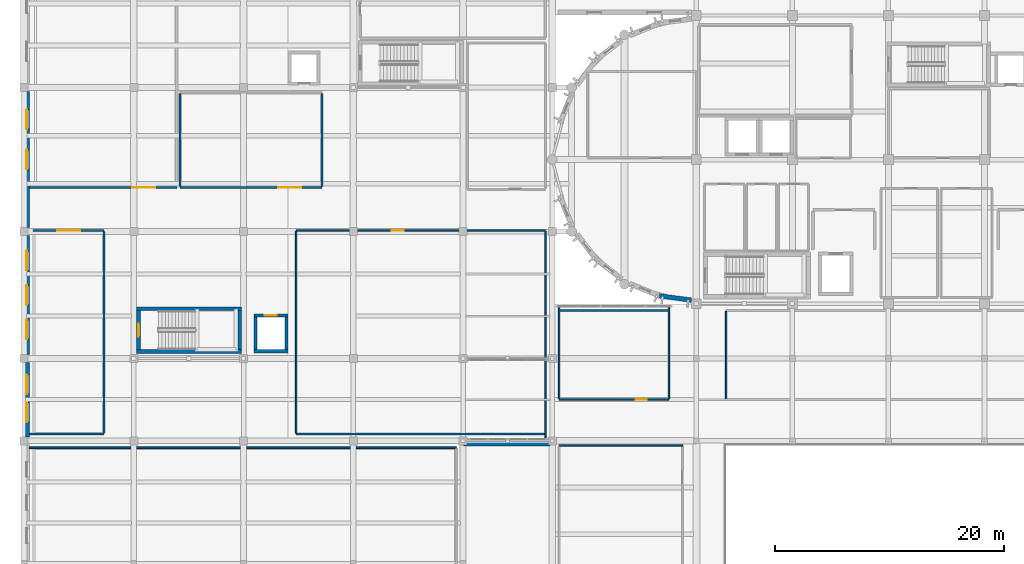
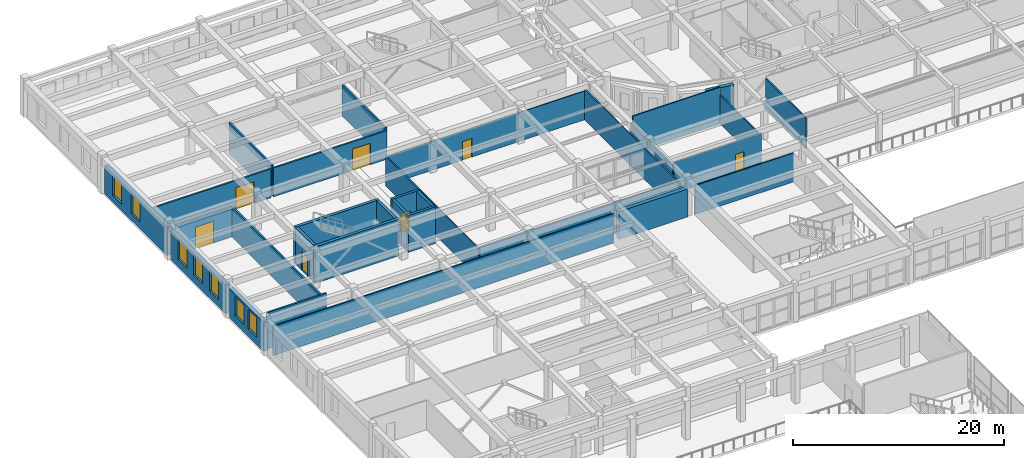
# One storey, part 66 of 92: 31 walls, 7 doors, 7 windows, 14 openings.
"""IFC4 building model written with IfcOpenShell, lengths in metres."""

from ifc_helpers import new_model, si_unit, direction, frame, frame_2d, origin, place, context, subcontext, project, spatial, rectangle, extrude, material, layer, layer_set, type_object, element, fill, save


model = new_model("IFC4")

# Units and contexts
model_context = context("Model", 3, precision=1e-05, world=origin(), true_north=direction((0.0, 1.0)))
body_context = subcontext(model_context, "Body", "Model", "MODEL_VIEW")
ifc_project = project(units=[si_unit("LENGTHUNIT", "METRE"), si_unit("AREAUNIT", "SQUARE_METRE"), si_unit("VOLUMEUNIT", "CUBIC_METRE"), si_unit("PLANEANGLEUNIT", "RADIAN"), si_unit("MASSUNIT", "GRAM", prefix="KILO")], contexts=[model_context])

# Site, building, storey
site_placement = place(None, origin())
site = spatial("IfcSite", under=ifc_project, at=site_placement, CompositionType="ELEMENT")
building_placement = place(site_placement, origin())
building = spatial("IfcBuilding", under=site, at=building_placement, Name="Tarnavel Promenade Courthouse", CompositionType="ELEMENT")
storey_placement = place(building_placement, frame((0.0, 0.0, 5.39990234375)))
storey = spatial("IfcBuildingStorey", under=building, at=storey_placement, Name="L02", CompositionType="ELEMENT", Elevation=5.39990234375)

# Wall
ifc_material_1 = material(Name="Acoustic Insulated Gypsum Stud Partition", Category="gypsum")
ifc_layer_1 = layer(ifc_material_1, 0.14990234375)
ifc_layer_set_1 = layer_set([ifc_layer_1], Name="Acoustic Insulated Gypsum Stud Partition")
wall_type_1 = type_object("IfcWallType", Name="Acoustic Insulated Gypsum Stud Partition WL-LIB-150 (150 mm)", PredefinedType="PARTITIONING", material=ifc_layer_set_1)
wall_1_placement = place(storey_placement, frame((0.4541015625, 66.60009765625, 0.0), z_axis=(0.0, 0.0, 1.0), x_axis=(1.0, 0.0, 0.0)))
element("IfcWall", 1, at=wall_1_placement, inside=storey, type_object=wall_type_1, Name="L02 Law Library Reading Room Main Salon Partition 0298", PredefinedType="PARTITIONING", context=body_context, shape_type="SweptSolid", body=[
    extrude(rectangle(XDim=37.345947265625, YDim=0.14990234375, at=frame_2d((18.6728515625, 0.0))), origin(), (0.0, 0.0, 1.0), 3.380126953125),
])

# Wall, opening, door
ifc_material_2 = material(Name="Concrete C40/50", Category="concrete")
ifc_layer_2 = layer(ifc_material_2, 0.280029296875)
ifc_layer_set_2 = layer_set([ifc_layer_2], Name="Concrete C40/50")
wall_type_2 = type_object("IfcWallType", Name="Concrete C40/50 WL-SHR-280 (280 mm)", PredefinedType="SHEAR", material=ifc_layer_set_2)
wall_2_placement = place(storey_placement, frame((20.10009765625, 78.159912109375, 0.0), z_axis=(0.0, 0.0, 1.0), x_axis=(1.0, 0.0, 0.0)))
wall_2 = element("IfcWall", 2, at=wall_2_placement, inside=storey, type_object=wall_type_2, Name="L02 L-PUB3 Lift Shaft North Wall", PredefinedType="SHEAR", context=body_context, shape_type="SweptSolid", body=[
    extrude(rectangle(XDim=3.0, YDim=0.280029296875, at=frame_2d((1.5, 0.0))), origin(), (0.0, 0.0, 1.0), 4.239990234375),
])
opening_1_placement = place(wall_2_placement, frame((0.97509765625, 0.0, 0.0)))
opening_1 = element("IfcOpeningElement", 3, at=opening_1_placement, cuts=wall_2, Name="Opening LD-02", PredefinedType="OPENING", context=body_context, shape_type="SweptSolid", body=[
    extrude(rectangle(XDim=1.050048828125, YDim=2.199951171875, at=frame_2d((0.52490234375, 1.10009765625))), frame((0.0, 0.14990234375, 0.0), z_axis=(0.0, -1.0, 0.0), x_axis=(1.0, 0.0, 0.0)), (0.0, 0.0, 1.0), 0.300048828125),
])
ifc_material_3 = material(Name="Brushed Bronze Passenger Lift Landing Sliding Door")
door_type_1 = type_object("IfcDoorType", Name="Brushed Bronze Passenger Lift Landing Sliding Door (LD-PUB-1050x2200)", OperationType="NOTDEFINED", PredefinedType="DOOR", material=ifc_material_3)
door_1_placement = place(opening_1_placement, origin())
door_1 = element("IfcDoor", 4, at=door_1_placement, inside=storey, type_object=door_type_1, Name="L02 L-PUB3 Lift Sliding Landing Door", OperationType="DOUBLE_DOOR_SLIDING", OverallHeight=2.199951171875, OverallWidth=1.050048828125, PredefinedType="DOOR", context=body_context, shape_type="SweptSolid", body=[
    extrude(rectangle(XDim=1.050048828125, YDim=2.199951171875, at=frame_2d((0.52490234375, 1.10009765625))), frame((0.0, 0.02490234375, 0.0), z_axis=(0.0, -1.0, 0.0), x_axis=(1.0, 0.0, 0.0)), (0.0, 0.0, 1.0), 0.050048828125),
])
fill(opening_1, door_1)

# Walls
wall_3_placement = place(storey_placement, frame((23.10009765625, 75.0400390625, 0.0), z_axis=(0.0, 0.0, 1.0), x_axis=(-1.0, 0.0, 0.0)))
element("IfcWall", 5, at=wall_3_placement, inside=storey, type_object=wall_type_2, Name="L02 L-PUB3 Lift Shaft South Wall", PredefinedType="SHEAR", context=body_context, shape_type="SweptSolid", body=[
    extrude(rectangle(XDim=3.0, YDim=0.280029296875, at=frame_2d((1.5, 0.0))), origin(), (0.0, 0.0, 1.0), 4.239990234375),
])
for number, where, z_axis, x_axis, name in (
    (6, (20.239990234375, 75.179931640625, 0.0), (0.0, 0.0, 1.0), (0.0, 1.0, 0.0), "L02 L-PUB3 Lift Shaft West Wall"),
    (7, (22.9599609375, 78.02001953125, 0.0), (0.0, 0.0, 1.0), (0.0, -1.0, 0.0), "L02 L-PUB3 Lift Shaft East Wall"),
):
    element("IfcWall", number, at=place(storey_placement, frame(where, z_axis=z_axis, x_axis=x_axis)), inside=storey, type_object=wall_type_2, Name=name, PredefinedType="SHEAR", context=body_context, shape_type="SweptSolid", body=[
        extrude(rectangle(XDim=2.840087890625, YDim=0.280029296875, at=frame_2d((1.419921875, 0.0))), origin(), (0.0, 0.0, 1.0), 4.239990234375),
    ])
ifc_layer_3 = layer(ifc_material_2, 0.320068359375)
ifc_layer_set_3 = layer_set([ifc_layer_3], Name="Concrete C40/50")
wall_type_3 = type_object("IfcWallType", Name="Concrete C40/50 WL-SHR-320 (320 mm)", PredefinedType="SHEAR", material=ifc_layer_set_3)
for number, where, z_axis, x_axis, name in (
    (8, (9.860107421875, 78.739990234375, 0.0), (0.0, 0.0, 1.0), (1.0, 0.0, 0.0), "L02 ST-04 Shear Core North Wall"),
    (9, (19.0400390625, 75.02001953125, 0.0), (0.0, 0.0, 1.0), (-1.0, 0.0, 0.0), "L02 ST-04 Shear Core South Wall"),
):
    element("IfcWall", number, at=place(storey_placement, frame(where, z_axis=z_axis, x_axis=x_axis)), inside=storey, type_object=wall_type_3, Name=name, PredefinedType="SHEAR", context=body_context, shape_type="SweptSolid", body=[
        extrude(rectangle(XDim=9.179931640625, YDim=0.320068359375, at=frame_2d((4.58984375, 0.0))), origin(), (0.0, 0.0, 1.0), 4.239990234375),
    ])

# Wall, opening, door
wall_4_placement = place(storey_placement, frame((10.02001953125, 75.179931640625, 0.0), z_axis=(0.0, 0.0, 1.0), x_axis=(0.0, 1.0, 0.0)))
wall_4 = element("IfcWall", 10, at=wall_4_placement, inside=storey, type_object=wall_type_3, Name="L02 ST-04 Shear Core West Landing Wall", PredefinedType="SHEAR", context=body_context, shape_type="SweptSolid", body=[
    extrude(rectangle(XDim=3.400146484375, YDim=0.320068359375, at=frame_2d((1.7001953125, 0.0))), origin(), (0.0, 0.0, 1.0), 4.239990234375),
])
opening_2_placement = place(wall_4_placement, frame((1.125, 0.0, 0.0)))
opening_2 = element("IfcOpeningElement", 11, at=opening_2_placement, cuts=wall_4, Name="Opening FD-01", PredefinedType="OPENING", context=body_context, shape_type="SweptSolid", body=[
    extrude(rectangle(XDim=1.14990234375, YDim=2.199951171875, at=frame_2d((0.574951171875, 1.10009765625))), frame((0.0, 0.169921875, 0.0), z_axis=(0.0, -1.0, 0.0), x_axis=(1.0, 0.0, 0.0)), (0.0, 0.0, 1.0), 0.340087890625),
])
ifc_material_4 = material(Name="Steel Fire-Rated Stair Core Door", Category="steel")
door_type_2 = type_object("IfcDoorType", Name="Steel Fire-Rated Stair Core Door (DR-ST-1150x2200)", OperationType="NOTDEFINED", PredefinedType="DOOR", material=ifc_material_4)
door_2_placement = place(opening_2_placement, origin())
door_2 = element("IfcDoor", 12, at=door_2_placement, inside=storey, type_object=door_type_2, Name="L02 ST-04 Protected Exit Stair Door", OperationType="SINGLE_SWING_RIGHT", OverallHeight=2.199951171875, OverallWidth=1.14990234375, PredefinedType="DOOR", context=body_context, shape_type="SweptSolid", body=[
    extrude(rectangle(XDim=1.14990234375, YDim=2.199951171875, at=frame_2d((0.574951171875, 1.10009765625))), frame((0.0, 0.02490234375, 0.0), z_axis=(0.0, -1.0, 0.0), x_axis=(1.0, 0.0, 0.0)), (0.0, 0.0, 1.0), 0.050048828125),
])
fill(opening_2, door_2)

# Wall
wall_5_placement = place(storey_placement, frame((18.8798828125, 78.580078125, 0.0), z_axis=(0.0, 0.0, 1.0), x_axis=(0.0, -1.0, 0.0)))
element("IfcWall", 13, at=wall_5_placement, inside=storey, type_object=wall_type_3, Name="L02 ST-04 Shear Core East Wall", PredefinedType="SHEAR", context=body_context, shape_type="SweptSolid", body=[
    extrude(rectangle(XDim=3.400146484375, YDim=0.320068359375, at=frame_2d((1.7001953125, 0.0))), origin(), (0.0, 0.0, 1.0), 4.239990234375),
])

# Wall, opening, door
ifc_material_5 = material(Name="Double-Stud Acoustic Courtroom Partition Assembly", Category="gypsum")
ifc_layer_4 = layer(ifc_material_5, 0.18505859375)
ifc_layer_set_4 = layer_set([ifc_layer_4], Name="Double-Stud Acoustic Courtroom Partition Assembly")
wall_type_4 = type_object("IfcWallType", Name="Double-Stud Acoustic Courtroom Partition Assembly WL-CRT-185 (185 mm)", PredefinedType="PARTITIONING", material=ifc_layer_set_4)
wall_6_placement = place(storey_placement, frame((13.360107421875, 89.340087890625, 0.0), z_axis=(0.0, 0.0, 1.0), x_axis=(-1.0, 0.0, 0.0)))
wall_6 = element("IfcWall", 14, at=wall_6_placement, inside=storey, type_object=wall_type_4, Name="L02 Civil Trial Courtroom A Partition 0278", PredefinedType="PARTITIONING", context=body_context, shape_type="SweptSolid", body=[
    extrude(rectangle(XDim=12.885986328125, YDim=0.18505859375, at=frame_2d((6.44287109375, 0.0))), origin(), (0.0, 0.0, 1.0), 3.330078125),
])
opening_3_placement = place(wall_6_placement, frame((1.8779296875, 0.0, 0.0)))
opening_3 = element("IfcOpeningElement", 15, at=opening_3_placement, cuts=wall_6, Name="Opening ID-01", PredefinedType="OPENING", context=body_context, shape_type="SweptSolid", body=[
    extrude(rectangle(XDim=2.0, YDim=2.5, at=frame_2d((1.0, 1.25))), frame((0.0, 0.1025390625, 0.0), z_axis=(0.0, -1.0, 0.0), x_axis=(1.0, 0.0, 0.0)), (0.0, 0.0, 1.0), 0.205078125),
])
ifc_material_6 = material(Name="Solid Oak Acoustic Courtroom Double Door")
door_type_3 = type_object("IfcDoorType", Name="Solid Oak Acoustic Courtroom Double Door (DR-CRT-2000x2500)", OperationType="NOTDEFINED", PredefinedType="DOOR", material=ifc_material_6)
door_3_placement = place(opening_3_placement, origin())
door_3 = element("IfcDoor", 16, at=door_3_placement, inside=storey, type_object=door_type_3, Name="L02 Civil Trial Courtroom A Door 0079", OperationType="DOUBLE_DOOR_SINGLE_SWING", OverallHeight=2.5, OverallWidth=2.0, PredefinedType="DOOR", context=body_context, shape_type="SweptSolid", body=[
    extrude(rectangle(XDim=2.0, YDim=2.5, at=frame_2d((1.0, 1.25))), frame((0.0, 0.02490234375, 0.0), z_axis=(0.0, -1.0, 0.0), x_axis=(1.0, 0.0, 0.0)), (0.0, 0.0, 1.0), 0.050048828125),
])
fill(opening_3, door_3)

wall_7_placement = place(storey_placement, frame((26.06005859375, 89.340087890625, 0.0), z_axis=(0.0, 0.0, 1.0), x_axis=(-1.0, 0.0, 0.0)))
wall_7 = element("IfcWall", 17, at=wall_7_placement, inside=storey, type_object=wall_type_4, Name="L02 Civil Trial Courtroom B Partition 0281", PredefinedType="PARTITIONING", context=body_context, shape_type="SweptSolid", body=[
    extrude(rectangle(XDim=12.420166015625, YDim=0.18505859375, at=frame_2d((6.2099609375, 0.0))), origin(), (0.0, 0.0, 1.0), 3.330078125),
])
opening_4_placement = place(wall_7_placement, frame((1.80810546875, 0.0, 0.0)))
opening_4 = element("IfcOpeningElement", 18, at=opening_4_placement, cuts=wall_7, Name="Opening ID-01", PredefinedType="OPENING", context=body_context, shape_type="SweptSolid", body=[
    extrude(rectangle(XDim=2.0, YDim=2.5, at=frame_2d((1.0, 1.25))), frame((0.0, 0.1025390625, 0.0), z_axis=(0.0, -1.0, 0.0), x_axis=(1.0, 0.0, 0.0)), (0.0, 0.0, 1.0), 0.205078125),
])
door_4_placement = place(opening_4_placement, origin())
door_4 = element("IfcDoor", 19, at=door_4_placement, inside=storey, type_object=door_type_3, Name="L02 Civil Trial Courtroom B Door 0080", OperationType="DOUBLE_DOOR_SINGLE_SWING", OverallHeight=2.5, OverallWidth=2.0, PredefinedType="DOOR", context=body_context, shape_type="SweptSolid", body=[
    extrude(rectangle(XDim=2.0, YDim=2.5, at=frame_2d((1.0, 1.25))), frame((0.0, 0.02490234375, 0.0), z_axis=(0.0, -1.0, 0.0), x_axis=(1.0, 0.0, 0.0)), (0.0, 0.0, 1.0), 0.050048828125),
])
fill(opening_4, door_4)

# Walls
for number, where, z_axis, x_axis, name in (
    (20, (13.639892578125, 89.4423828125, 0.0), (0.0, 0.0, 1.0), (0.0, 1.0, 0.0), "L02 Civil Trial Courtroom B Partition 0282"),
    (21, (26.06005859375, 97.597412109375, 0.0), (0.0, 0.0, 1.0), (0.0, -1.0, 0.0), "L02 Civil Trial Courtroom B Partition 0283"),
):
    element("IfcWall", number, at=place(storey_placement, frame(where, z_axis=z_axis, x_axis=x_axis)), inside=storey, type_object=wall_type_4, Name=name, PredefinedType="PARTITIONING", context=body_context, shape_type="SweptSolid", body=[
        extrude(rectangle(XDim=8.155029296875, YDim=0.18505859375, at=frame_2d((4.07763671875, 0.0))), origin(), (0.0, 0.0, 1.0), 3.580078125),
    ])

# Wall, opening, door
wall_8_placement = place(storey_placement, frame((0.800048828125, 85.60009765625, 0.0), z_axis=(0.0, 0.0, 1.0), x_axis=(1.0, 0.0, 0.0)))
wall_8 = element("IfcWall", 22, at=wall_8_placement, inside=storey, type_object=wall_type_4, Name="L02 Civil Trial Courtroom C Partition 0291", PredefinedType="PARTITIONING", context=body_context, shape_type="SweptSolid", body=[
    extrude(rectangle(XDim=6.199951171875, YDim=0.18505859375, at=frame_2d((3.10009765625, 0.0))), origin(), (0.0, 0.0, 1.0), 3.43017578125),
])
opening_5_placement = place(wall_8_placement, frame((2.10009765625, 0.0, 0.0)))
opening_5 = element("IfcOpeningElement", 23, at=opening_5_placement, cuts=wall_8, Name="Opening ID-01", PredefinedType="OPENING", context=body_context, shape_type="SweptSolid", body=[
    extrude(rectangle(XDim=2.0, YDim=2.5, at=frame_2d((1.0, 1.25))), frame((0.0, 0.1025390625, 0.0), z_axis=(0.0, -1.0, 0.0), x_axis=(1.0, 0.0, 0.0)), (0.0, 0.0, 1.0), 0.205078125),
])
door_5_placement = place(opening_5_placement, origin())
door_5 = element("IfcDoor", 24, at=door_5_placement, inside=storey, type_object=door_type_3, Name="L02 Civil Trial Courtroom C Door 0083", OperationType="DOUBLE_DOOR_SINGLE_SWING", OverallHeight=2.5, OverallWidth=2.0, PredefinedType="DOOR", context=body_context, shape_type="SweptSolid", body=[
    extrude(rectangle(XDim=2.0, YDim=2.5, at=frame_2d((1.0, 1.25))), frame((0.0, 0.02490234375, 0.0), z_axis=(0.0, -1.0, 0.0), x_axis=(1.0, 0.0, 0.0)), (0.0, 0.0, 1.0), 0.050048828125),
])
fill(opening_5, door_5)

# Walls
wall_9_placement = place(storey_placement, frame((7.0, 67.800048828125, 0.0), z_axis=(0.0, 0.0, 1.0), x_axis=(-1.0, 0.0, 0.0)))
element("IfcWall", 25, at=wall_9_placement, inside=storey, type_object=wall_type_4, Name="L02 Civil Trial Courtroom C Partition 0292", PredefinedType="PARTITIONING", context=body_context, shape_type="SweptSolid", body=[
    extrude(rectangle(XDim=6.52587890625, YDim=0.18505859375, at=frame_2d((3.262939453125, 0.0))), origin(), (0.0, 0.0, 1.0), 4.22509765625),
])
wall_10_placement = place(storey_placement, frame((7.0, 85.49755859375, 0.0), z_axis=(0.0, 0.0, 1.0), x_axis=(0.0, -1.0, 0.0)))
element("IfcWall", 26, at=wall_10_placement, inside=storey, type_object=wall_type_4, Name="L02 Civil Trial Courtroom C Partition 0293", PredefinedType="PARTITIONING", context=body_context, shape_type="SweptSolid", body=[
    extrude(rectangle(XDim=17.594970703125, YDim=0.18505859375, at=frame_2d((8.79736328125, 0.0))), origin(), (0.0, 0.0, 1.0), 3.43017578125),
])
ifc_material_7 = material(Name="Limestone Ashlar Faced Insulated Brick Masonry", Category="masonry")
ifc_layer_5 = layer(ifc_material_7, 0.43994140625)
ifc_layer_set_5 = layer_set([ifc_layer_5], Name="Limestone Ashlar Faced Insulated Brick Masonry")
wall_type_5 = type_object("IfcWallType", Name="Limestone Ashlar Faced Insulated Brick Masonry WL-EXT-440 (440 mm)", PredefinedType="STANDARD", material=ifc_layer_set_5)
wall_11_placement = place(storey_placement, frame((38.449951171875, 66.9599609375, 0.0), z_axis=(0.0, 0.0, 1.0), x_axis=(1.0, 0.0, 0.0)))
element("IfcWall", 27, at=wall_11_placement, inside=storey, type_object=wall_type_5, Name="L02 Winter-Garden West Link North Wall 0438", PredefinedType="STANDARD", context=body_context, shape_type="SweptSolid", body=[
    extrude(rectangle(XDim=7.550048828125, YDim=0.43994140625, at=frame_2d((3.77490234375, 0.0))), origin(), (0.0, 0.0, 1.0), 3.22998046875),
])

# Wall, openings, windows
ifc_layer_6 = layer(ifc_material_7, 0.47998046875)
ifc_layer_set_6 = layer_set([ifc_layer_6], Name="Limestone Ashlar Faced Insulated Brick Masonry")
wall_type_6 = type_object("IfcWallType", Name="Limestone Ashlar Faced Insulated Brick Masonry WL-EXT-480 (480 mm)", PredefinedType="STANDARD", material=ifc_layer_set_6)
wall_12_placement = place(storey_placement, frame((0.239990234375, 67.5419921875, 0.0), z_axis=(0.0, 0.0, 1.0), x_axis=(0.0, 1.0, 0.0)))
wall_12 = element("IfcWall", 28, at=wall_12_placement, inside=storey, type_object=wall_type_6, Name="L02 Trial Wing West Ashlar Facade 0286", PredefinedType="STANDARD", context=body_context, shape_type="SweptSolid", body=[
    extrude(rectangle(XDim=6.52099609375, YDim=0.47998046875, at=frame_2d((3.260498046875, 0.0))), origin(), (0.0, 0.0, 1.0), 3.380126953125),
])
opening_6_placement = place(wall_12_placement, frame((1.302978515625, 0.0, 0.85009765625)))
opening_6 = element("IfcOpeningElement", 29, at=opening_6_placement, cuts=wall_12, Name="Opening W-01", PredefinedType="OPENING", context=body_context, shape_type="SweptSolid", body=[
    extrude(rectangle(XDim=1.699951171875, YDim=2.300048828125, at=frame_2d((0.85009765625, 1.14990234375))), frame((0.0, 0.25, 0.0), z_axis=(0.0, -1.0, 0.0), x_axis=(1.0, 0.0, 0.0)), (0.0, 0.0, 1.0), 0.5),
])
opening_7_placement = place(wall_12_placement, frame((3.7529296875, 0.0, 0.85009765625)))
opening_7 = element("IfcOpeningElement", 30, at=opening_7_placement, cuts=wall_12, Name="Opening W-01", PredefinedType="OPENING", context=body_context, shape_type="SweptSolid", body=[
    extrude(rectangle(XDim=1.699951171875, YDim=2.300048828125, at=frame_2d((0.85009765625, 1.14990234375))), frame((0.0, 0.25, 0.0), z_axis=(0.0, -1.0, 0.0), x_axis=(1.0, 0.0, 0.0)), (0.0, 0.0, 1.0), 0.5),
])
ifc_material_8 = material(Name="Triple Low-E Glazed Bronze-Clad Window Assembly")
window_type = type_object("IfcWindowType", Name="Triple-Glazed Bronze-Clad Timber-Aluminium WIN-CRT-1700x2300", PartitioningType="SINGLE_PANEL", PredefinedType="WINDOW", material=ifc_material_8)
window_1_placement = place(opening_6_placement, origin())
window_1 = element("IfcWindow", 31, at=window_1_placement, inside=storey, type_object=window_type, Name="L02 Exterior Window 0264", OverallHeight=2.300048828125, OverallWidth=1.699951171875, PartitioningType="SINGLE_PANEL", PredefinedType="WINDOW", context=body_context, shape_type="SweptSolid", body=[
    extrude(rectangle(XDim=1.699951171875, YDim=2.300048828125, at=frame_2d((0.85009765625, 1.14990234375))), frame((0.0, 0.030029296875, 0.0), z_axis=(0.0, -1.0, 0.0), x_axis=(1.0, 0.0, 0.0)), (0.0, 0.0, 1.0), 0.06005859375),
])
fill(opening_6, window_1)
window_2_placement = place(opening_7_placement, origin())
window_2 = element("IfcWindow", 32, at=window_2_placement, inside=storey, type_object=window_type, Name="L02 Exterior Window 0265", OverallHeight=2.300048828125, OverallWidth=1.699951171875, PartitioningType="SINGLE_PANEL", PredefinedType="WINDOW", context=body_context, shape_type="SweptSolid", body=[
    extrude(rectangle(XDim=1.699951171875, YDim=2.300048828125, at=frame_2d((0.85009765625, 1.14990234375))), frame((0.0, 0.030029296875, 0.0), z_axis=(0.0, -1.0, 0.0), x_axis=(1.0, 0.0, 0.0)), (0.0, 0.0, 1.0), 0.06005859375),
])
fill(opening_7, window_2)

wall_13_placement = place(storey_placement, frame((0.239990234375, 74.741943359375, 0.0), z_axis=(0.0, 0.0, 1.0), x_axis=(0.0, 1.0, 0.0)))
wall_13 = element("IfcWall", 33, at=wall_13_placement, inside=storey, type_object=wall_type_6, Name="L02 Trial Wing West Ashlar Facade 0287", PredefinedType="STANDARD", context=body_context, shape_type="SweptSolid", body=[
    extrude(rectangle(XDim=10.421142578125, YDim=0.47998046875, at=frame_2d((5.21044921875, 0.0))), origin(), (0.0, 0.0, 1.0), 3.330078125),
])
opening_8_placement = place(wall_13_placement, frame((1.3447265625, 0.0, 0.85009765625)))
opening_8 = element("IfcOpeningElement", 34, at=opening_8_placement, cuts=wall_13, Name="Opening W-01", PredefinedType="OPENING", context=body_context, shape_type="SweptSolid", body=[
    extrude(rectangle(XDim=1.699951171875, YDim=2.300048828125, at=frame_2d((0.85009765625, 1.14990234375))), frame((0.0, 0.25, 0.0), z_axis=(0.0, -1.0, 0.0), x_axis=(1.0, 0.0, 0.0)), (0.0, 0.0, 1.0), 0.5),
])
opening_9_placement = place(wall_13_placement, frame((4.35791015625, 0.0, 0.85009765625)))
opening_9 = element("IfcOpeningElement", 35, at=opening_9_placement, cuts=wall_13, Name="Opening W-01", PredefinedType="OPENING", context=body_context, shape_type="SweptSolid", body=[
    extrude(rectangle(XDim=1.699951171875, YDim=2.300048828125, at=frame_2d((0.85009765625, 1.14990234375))), frame((0.0, 0.25, 0.0), z_axis=(0.0, -1.0, 0.0), x_axis=(1.0, 0.0, 0.0)), (0.0, 0.0, 1.0), 0.5),
])
opening_10_placement = place(wall_13_placement, frame((7.371337890625, 0.0, 0.85009765625)))
opening_10 = element("IfcOpeningElement", 36, at=opening_10_placement, cuts=wall_13, Name="Opening W-01", PredefinedType="OPENING", context=body_context, shape_type="SweptSolid", body=[
    extrude(rectangle(XDim=1.699951171875, YDim=2.300048828125, at=frame_2d((0.85009765625, 1.14990234375))), frame((0.0, 0.25, 0.0), z_axis=(0.0, -1.0, 0.0), x_axis=(1.0, 0.0, 0.0)), (0.0, 0.0, 1.0), 0.5),
])
window_3_placement = place(opening_8_placement, origin())
window_3 = element("IfcWindow", 37, at=window_3_placement, inside=storey, type_object=window_type, Name="L02 Exterior Window 0266", OverallHeight=2.300048828125, OverallWidth=1.699951171875, PartitioningType="SINGLE_PANEL", PredefinedType="WINDOW", context=body_context, shape_type="SweptSolid", body=[
    extrude(rectangle(XDim=1.699951171875, YDim=2.300048828125, at=frame_2d((0.85009765625, 1.14990234375))), frame((0.0, 0.030029296875, 0.0), z_axis=(0.0, -1.0, 0.0), x_axis=(1.0, 0.0, 0.0)), (0.0, 0.0, 1.0), 0.06005859375),
])
fill(opening_8, window_3)
window_4_placement = place(opening_9_placement, origin())
window_4 = element("IfcWindow", 38, at=window_4_placement, inside=storey, type_object=window_type, Name="L02 Exterior Window 0267", OverallHeight=2.300048828125, OverallWidth=1.699951171875, PartitioningType="SINGLE_PANEL", PredefinedType="WINDOW", context=body_context, shape_type="SweptSolid", body=[
    extrude(rectangle(XDim=1.699951171875, YDim=2.300048828125, at=frame_2d((0.85009765625, 1.14990234375))), frame((0.0, 0.030029296875, 0.0), z_axis=(0.0, -1.0, 0.0), x_axis=(1.0, 0.0, 0.0)), (0.0, 0.0, 1.0), 0.06005859375),
])
fill(opening_9, window_4)
window_5_placement = place(opening_10_placement, origin())
window_5 = element("IfcWindow", 39, at=window_5_placement, inside=storey, type_object=window_type, Name="L02 Exterior Window 0268", OverallHeight=2.300048828125, OverallWidth=1.699951171875, PartitioningType="SINGLE_PANEL", PredefinedType="WINDOW", context=body_context, shape_type="SweptSolid", body=[
    extrude(rectangle(XDim=1.699951171875, YDim=2.300048828125, at=frame_2d((0.85009765625, 1.14990234375))), frame((0.0, 0.030029296875, 0.0), z_axis=(0.0, -1.0, 0.0), x_axis=(1.0, 0.0, 0.0)), (0.0, 0.0, 1.0), 0.06005859375),
])
fill(opening_10, window_5)

wall_14_placement = place(storey_placement, frame((0.239990234375, 85.8369140625, 0.0), z_axis=(0.0, 0.0, 1.0), x_axis=(0.0, 1.0, 0.0)))
wall_14 = element("IfcWall", 40, at=wall_14_placement, inside=storey, type_object=wall_type_6, Name="L02 Trial Wing West Ashlar Facade 0288", PredefinedType="STANDARD", context=body_context, shape_type="SweptSolid", body=[
    extrude(rectangle(XDim=11.921142578125, YDim=0.47998046875, at=frame_2d((5.96044921875, 0.0))), origin(), (0.0, 0.0, 1.0), 3.280029296875),
])
opening_11_placement = place(wall_14_placement, frame((5.113037109375, 0.0, 0.760009765625)))
opening_11 = element("IfcOpeningElement", 41, at=opening_11_placement, cuts=wall_14, Name="Opening W-01", PredefinedType="OPENING", context=body_context, shape_type="SweptSolid", body=[
    extrude(rectangle(XDim=1.699951171875, YDim=2.300048828125, at=frame_2d((0.85009765625, 1.14990234375))), frame((0.0, 0.25, 0.0), z_axis=(0.0, -1.0, 0.0), x_axis=(1.0, 0.0, 0.0)), (0.0, 0.0, 1.0), 0.5),
])
opening_12_placement = place(wall_14_placement, frame((8.626220703125, 0.0, 0.760009765625)))
opening_12 = element("IfcOpeningElement", 42, at=opening_12_placement, cuts=wall_14, Name="Opening W-01", PredefinedType="OPENING", context=body_context, shape_type="SweptSolid", body=[
    extrude(rectangle(XDim=1.699951171875, YDim=2.300048828125, at=frame_2d((0.85009765625, 1.14990234375))), frame((0.0, 0.25, 0.0), z_axis=(0.0, -1.0, 0.0), x_axis=(1.0, 0.0, 0.0)), (0.0, 0.0, 1.0), 0.5),
])
window_6_placement = place(opening_11_placement, origin())
window_6 = element("IfcWindow", 43, at=window_6_placement, inside=storey, type_object=window_type, Name="L02 Exterior Window 0269", OverallHeight=2.300048828125, OverallWidth=1.699951171875, PartitioningType="SINGLE_PANEL", PredefinedType="WINDOW", context=body_context, shape_type="SweptSolid", body=[
    extrude(rectangle(XDim=1.699951171875, YDim=2.300048828125, at=frame_2d((0.85009765625, 1.14990234375))), frame((0.0, 0.030029296875, 0.0), z_axis=(0.0, -1.0, 0.0), x_axis=(1.0, 0.0, 0.0)), (0.0, 0.0, 1.0), 0.06005859375),
])
fill(opening_11, window_6)
window_7_placement = place(opening_12_placement, origin())
window_7 = element("IfcWindow", 44, at=window_7_placement, inside=storey, type_object=window_type, Name="L02 Exterior Window 0270", OverallHeight=2.300048828125, OverallWidth=1.699951171875, PartitioningType="SINGLE_PANEL", PredefinedType="WINDOW", context=body_context, shape_type="SweptSolid", body=[
    extrude(rectangle(XDim=1.699951171875, YDim=2.300048828125, at=frame_2d((0.85009765625, 1.14990234375))), frame((0.0, 0.030029296875, 0.0), z_axis=(0.0, -1.0, 0.0), x_axis=(1.0, 0.0, 0.0)), (0.0, 0.0, 1.0), 0.06005859375),
])
fill(opening_12, window_7)

# Wall, opening, door
ifc_material_9 = material(Name="Metal-Stud Acoustic Gypsum Partition", Category="gypsum")
ifc_layer_7 = layer(ifc_material_9, 0.135009765625)
ifc_layer_set_7 = layer_set([ifc_layer_7], Name="Metal-Stud Acoustic Gypsum Partition")
wall_type_7 = type_object("IfcWallType", Name="Metal-Stud Acoustic Gypsum Partition WL-OFF-135 (135 mm)", PredefinedType="PARTITIONING", material=ifc_layer_set_7)
wall_15_placement = place(storey_placement, frame((23.800048828125, 85.60009765625, 0.0), z_axis=(0.0, 0.0, 1.0), x_axis=(1.0, 0.0, 0.0)))
wall_15 = element("IfcWall", 45, at=wall_15_placement, inside=storey, type_object=wall_type_7, Name="L02 Mediation Hearing Suite Partition 0294", PredefinedType="PARTITIONING", context=body_context, shape_type="SweptSolid", body=[
    extrude(rectangle(XDim=21.800048828125, YDim=0.135009765625, at=frame_2d((10.89990234375, 0.0))), origin(), (0.0, 0.0, 1.0), 3.330078125),
])
opening_13_placement = place(wall_15_placement, frame((8.382080078125, 0.0, 0.0)))
opening_13 = element("IfcOpeningElement", 46, at=opening_13_placement, cuts=wall_15, Name="Opening ID-07", PredefinedType="OPENING", context=body_context, shape_type="SweptSolid", body=[
    extrude(rectangle(XDim=1.02001953125, YDim=2.14990234375, at=frame_2d((0.510009765625, 1.074951171875))), frame((0.0, 0.077392578125, 0.0), z_axis=(0.0, -1.0, 0.0), x_axis=(1.0, 0.0, 0.0)), (0.0, 0.0, 1.0), 0.155029296875),
])
ifc_material_10 = material(Name="Acoustic Timber Seminar Room Door", Category="wood")
door_type_4 = type_object("IfcDoorType", Name="Acoustic Timber Seminar Room Door (DR-MTG-1020x2150)", OperationType="NOTDEFINED", PredefinedType="DOOR", material=ifc_material_10)
door_6_placement = place(opening_13_placement, origin())
door_6 = element("IfcDoor", 47, at=door_6_placement, inside=storey, type_object=door_type_4, Name="L02 Mediation Hearing Suite Door 0084", OperationType="SINGLE_SWING_LEFT", OverallHeight=2.14990234375, OverallWidth=1.02001953125, PredefinedType="DOOR", context=body_context, shape_type="SweptSolid", body=[
    extrude(rectangle(XDim=1.02001953125, YDim=2.14990234375, at=frame_2d((0.510009765625, 1.074951171875))), frame((0.0, 0.02490234375, 0.0), z_axis=(0.0, -1.0, 0.0), x_axis=(1.0, 0.0, 0.0)), (0.0, 0.0, 1.0), 0.050048828125),
])
fill(opening_13, door_6)

# Walls
wall_16_placement = place(storey_placement, frame((45.60009765625, 67.800048828125, 0.0), z_axis=(0.0, 0.0, 1.0), x_axis=(-1.0, 0.0, 0.0)))
element("IfcWall", 48, at=wall_16_placement, inside=storey, type_object=wall_type_7, Name="L02 Mediation Hearing Suite Partition 0295", PredefinedType="PARTITIONING", context=body_context, shape_type="SweptSolid", body=[
    extrude(rectangle(XDim=21.800048828125, YDim=0.135009765625, at=frame_2d((10.89990234375, 0.0))), origin(), (0.0, 0.0, 1.0), 3.68017578125),
])
wall_17_placement = place(storey_placement, frame((23.800048828125, 67.87744140625, 0.0), z_axis=(0.0, 0.0, 1.0), x_axis=(0.0, 1.0, 0.0)))
element("IfcWall", 49, at=wall_17_placement, inside=storey, type_object=wall_type_7, Name="L02 Mediation Hearing Suite Partition 0296", PredefinedType="PARTITIONING", context=body_context, shape_type="SweptSolid", body=[
    extrude(rectangle(XDim=17.64501953125, YDim=0.135009765625, at=frame_2d((8.822509765625, 0.0))), origin(), (0.0, 0.0, 1.0), 3.43017578125),
])
wall_18_placement = place(storey_placement, frame((45.60009765625, 85.5224609375, 0.0), z_axis=(0.0, 0.0, 1.0), x_axis=(0.0, -1.0, 0.0)))
element("IfcWall", 50, at=wall_18_placement, inside=storey, type_object=wall_type_7, Name="L02 Mediation Hearing Suite Partition 0297", PredefinedType="PARTITIONING", context=body_context, shape_type="SweptSolid", body=[
    extrude(rectangle(XDim=18.1025390625, YDim=0.135009765625, at=frame_2d((9.05126953125, 0.0))), origin(), (0.0, 0.0, 1.0), 3.570068359375),
])
wall_19_placement = place(storey_placement, frame((46.800048828125, 78.60009765625, 0.0), z_axis=(0.0, 0.0, 1.0), x_axis=(1.0, 0.0, 0.0)))
element("IfcWall", 51, at=wall_19_placement, inside=storey, type_object=wall_type_7, Name="L02 First Balcony Witness Waiting Suite Partition 0330", PredefinedType="PARTITIONING", context=body_context, shape_type="SweptSolid", body=[
    extrude(rectangle(XDim=9.599853515625, YDim=0.135009765625, at=frame_2d((4.7998046875, 0.0))), origin(), (0.0, 0.0, 1.0), 4.22509765625),
])

# Wall, opening, door
wall_20_placement = place(storey_placement, frame((56.39990234375, 70.800048828125, 0.0), z_axis=(0.0, 0.0, 1.0), x_axis=(-1.0, 0.0, 0.0)))
wall_20 = element("IfcWall", 52, at=wall_20_placement, inside=storey, type_object=wall_type_7, Name="L02 First Balcony Witness Waiting Suite Partition 0331", PredefinedType="PARTITIONING", context=body_context, shape_type="SweptSolid", body=[
    extrude(rectangle(XDim=9.599853515625, YDim=0.135009765625, at=frame_2d((4.7998046875, 0.0))), origin(), (0.0, 0.0, 1.0), 3.630126953125),
])
opening_14_placement = place(wall_20_placement, frame((1.93994140625, 0.0, 0.0)))
opening_14 = element("IfcOpeningElement", 53, at=opening_14_placement, cuts=wall_20, Name="Opening ID-06", PredefinedType="OPENING", context=body_context, shape_type="SweptSolid", body=[
    extrude(rectangle(XDim=0.949951171875, YDim=2.14990234375, at=frame_2d((0.47509765625, 1.074951171875))), frame((0.0, 0.077392578125, 0.0), z_axis=(0.0, -1.0, 0.0), x_axis=(1.0, 0.0, 0.0)), (0.0, 0.0, 1.0), 0.155029296875),
])
ifc_material_11 = material(Name="Acoustic Timber Veneer Office Door", Category="wood")
door_type_5 = type_object("IfcDoorType", Name="Acoustic Timber Veneer Office Door (DR-OFF-0950x2150)", OperationType="NOTDEFINED", PredefinedType="DOOR", material=ifc_material_11)
door_7_placement = place(opening_14_placement, origin())
door_7 = element("IfcDoor", 54, at=door_7_placement, inside=storey, type_object=door_type_5, Name="L02 First Balcony Witness Waiting Suite Door 0095", OperationType="SINGLE_SWING_LEFT", OverallHeight=2.14990234375, OverallWidth=0.949951171875, PredefinedType="DOOR", context=body_context, shape_type="SweptSolid", body=[
    extrude(rectangle(XDim=0.949951171875, YDim=2.14990234375, at=frame_2d((0.47509765625, 1.074951171875))), frame((0.0, 0.02490234375, 0.0), z_axis=(0.0, -1.0, 0.0), x_axis=(1.0, 0.0, 0.0)), (0.0, 0.0, 1.0), 0.050048828125),
])
fill(opening_14, door_7)

# Walls
for number, where, z_axis, x_axis, name in (
    (55, (46.800048828125, 70.87744140625, 0.0), (0.0, 0.0, 1.0), (0.0, 1.0, 0.0), "L02 First Balcony Witness Waiting Suite Partition 0332"),
    (56, (56.39990234375, 78.860107421875, 0.0), (0.0, 0.0, 1.0), (0.0, -1.0, 0.0), "L02 First Balcony Witness Waiting Suite Partition 0333"),
):
    element("IfcWall", number, at=place(storey_placement, frame(where, z_axis=z_axis, x_axis=x_axis)), inside=storey, type_object=wall_type_7, Name=name, PredefinedType="PARTITIONING", context=body_context, shape_type="SweptSolid", body=[
        extrude(rectangle(XDim=7.982666015625, YDim=0.135009765625, at=frame_2d((3.9912109375, 0.0))), origin(), (0.0, 0.0, 1.0), 3.330078125),
    ])
wall_21_placement = place(storey_placement, frame((61.39990234375, 70.87744140625, 0.0), z_axis=(0.0, 0.0, 1.0), x_axis=(0.0, 1.0, 0.0)))
element("IfcWall", 57, at=wall_21_placement, inside=storey, type_object=wall_type_7, Name="L02 First Balcony Appellate Case Docket Registry Partition 0336", PredefinedType="PARTITIONING", context=body_context, shape_type="SweptSolid", body=[
    extrude(rectangle(XDim=7.64501953125, YDim=0.135009765625, at=frame_2d((3.822509765625, 0.0))), origin(), (0.0, 0.0, 1.0), 3.530029296875),
])
wall_22_placement = place(storey_placement, frame((46.800048828125, 66.800048828125, 0.0), z_axis=(0.0, 0.0, 1.0), x_axis=(1.0, 0.0, 0.0)))
element("IfcWall", 58, at=wall_22_placement, inside=storey, type_object=wall_type_7, Name="L02 First Balcony Judicial Mediation and Case Conference Salon Partition 0338", PredefinedType="PARTITIONING", context=body_context, shape_type="SweptSolid", body=[
    extrude(rectangle(XDim=10.800048828125, YDim=0.135009765625, at=frame_2d((5.39990234375, 0.0))), origin(), (0.0, 0.0, 1.0), 3.330078125),
])
ifc_material_12 = material(Name="Patinated Copper-Bronze Insulated Drum Wall Assembly", Category="masonry")
ifc_layer_8 = layer(ifc_material_12, 0.39501953125)
ifc_layer_set_8 = layer_set([ifc_layer_8], Name="Patinated Copper-Bronze Insulated Drum Wall Assembly")
wall_type_8 = type_object("IfcWallType", Name="Patinated Copper-Bronze Insulated Drum Wall Assembly WL-DRUM-395 (395 mm)", PredefinedType="ELEMENTEDWALL", material=ifc_layer_set_8)
wall_23_placement = place(storey_placement, frame((55.571533203125, 79.877197265625, 0.0), z_axis=(0.0, 0.0, 1.0), x_axis=(0.991443994311, -0.130532778046, 0.0)))
element("IfcWall", 59, at=wall_23_placement, inside=storey, type_object=wall_type_8, Name="L02 W Copper Drum Chord Wall 12 0051", PredefinedType="ELEMENTEDWALL", context=body_context, shape_type="SweptSolid", body=[
    extrude(rectangle(XDim=2.82421875, YDim=0.39501953125, at=frame_2d((1.412109375, 0.0))), origin(), (0.0, 0.0, 1.0), 3.3701171875),
])

save(model, "model.ifc")
